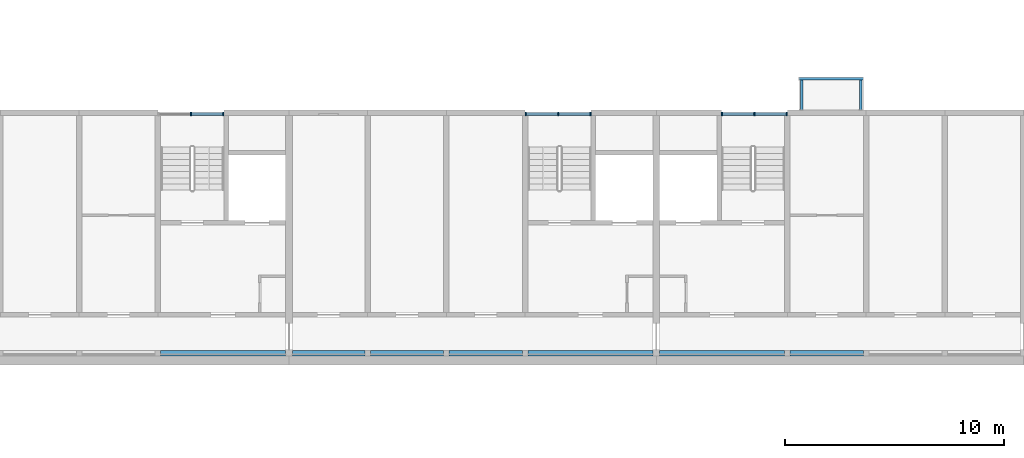
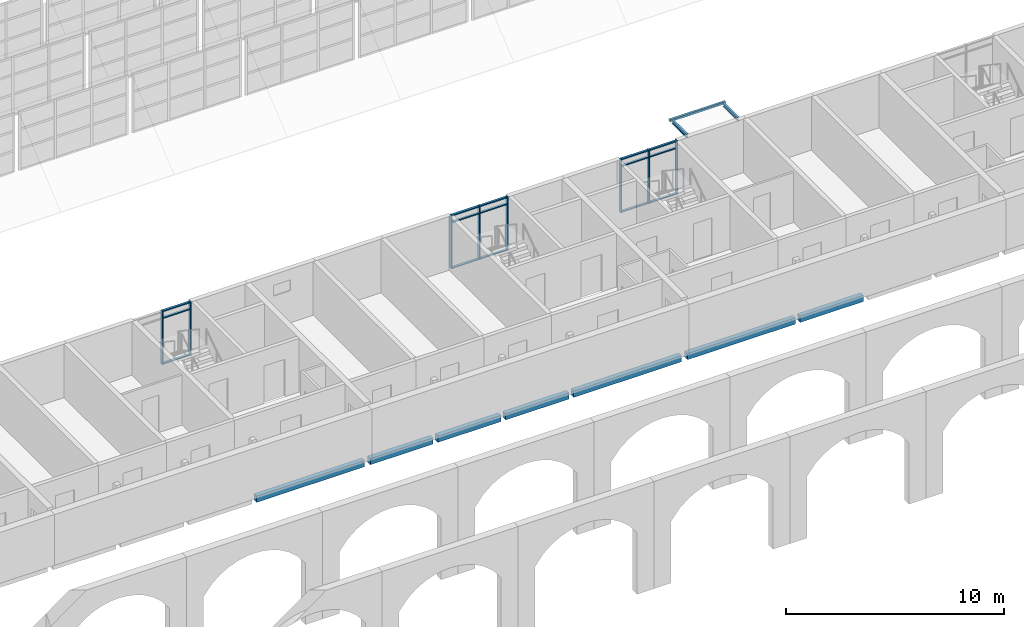
# One storey, part 27 of 122: 23 members, 10 beams, 3 elements without a shape of their own.
"""IFC4 building model written with IfcOpenShell, lengths in metres."""

from ifc_helpers import new_model, si_unit, direction, frame, origin, origin_2d, place, context, subcontext, project, spatial, rectangle, hollow_rectangle, i_section, extrude, material, material_profile, profile_set, type_object, element, aggregate, save


model = new_model("IFC4")

# Units and contexts
model_context = context("Model", 3, precision=1e-05, world=origin(), true_north=direction((0.0, 1.0)))
body_context = subcontext(model_context, "Body", "Model", "MODEL_VIEW")
ifc_project = project(units=[si_unit("LENGTHUNIT", "METRE"), si_unit("AREAUNIT", "SQUARE_METRE"), si_unit("VOLUMEUNIT", "CUBIC_METRE"), si_unit("PLANEANGLEUNIT", "RADIAN"), si_unit("MASSUNIT", "GRAM", prefix="KILO")], contexts=[model_context])

# Site, building, storey
site_placement = place(None, origin())
site = spatial("IfcSite", under=ifc_project, at=site_placement, CompositionType="ELEMENT")
building_placement = place(site_placement, origin())
building = spatial("IfcBuilding", under=site, at=building_placement, Name="Ridgestep Commons", CompositionType="ELEMENT")
storey_placement = place(building_placement, frame((0.0, 0.0, 3.0)))
storey = spatial("IfcBuildingStorey", under=building, at=storey_placement, Name="L01", CompositionType="ELEMENT", Elevation=3.0)

# Beams
ifc_material_1 = material(Name="Precast concrete C40/50", Category="concrete")
ifc_material_profile_1 = material_profile(ifc_material_1, rectangle(XDim=0.25, YDim=0.35009765625, at=origin_2d()), Name="PC 250x350")
ifc_profile_set_1 = profile_set([ifc_material_profile_1], Name="Precast concrete C40/50")
beam_type_1 = type_object("IfcBeamType", Name="Loggia edge beam 250 x 350", PredefinedType="SPANDREL", material=ifc_profile_set_1)
beam_1_placement = place(storey_placement, frame((191.324951171875, 11.875, -0.375), z_axis=(1.0, 0.0, 0.0), x_axis=(0.0, 1.0, 0.0)))
element("IfcBeam", 1, at=beam_1_placement, inside=storey, type_object=beam_type_1, Name="Loggia edge beam D3C L01", PredefinedType="SPANDREL", context=body_context, shape_type="SweptSolid", body=[
    extrude(rectangle(XDim=0.25, YDim=0.35009765625, at=origin_2d()), origin(), (0.0, 0.0, 1.0), 5.72509765625),
])
beam_2_placement = place(storey_placement, frame((197.35009765625, 11.875, -0.375), z_axis=(1.0, 0.0, 0.0), x_axis=(0.0, 1.0, 0.0)))
element("IfcBeam", 2, at=beam_2_placement, inside=storey, type_object=beam_type_1, Name="Loggia edge beam D4T1 L01", PredefinedType="SPANDREL", context=body_context, shape_type="SweptSolid", body=[
    extrude(rectangle(XDim=0.25, YDim=0.35009765625, at=origin_2d()), origin(), (0.0, 0.0, 1.0), 3.324951171875),
])
beam_3_placement = place(storey_placement, frame((200.925048828125, 11.875, -0.375), z_axis=(1.0, 0.0, 0.0), x_axis=(0.0, 1.0, 0.0)))
element("IfcBeam", 3, at=beam_3_placement, inside=storey, type_object=beam_type_1, Name="Loggia edge beam D4T2 L01", PredefinedType="SPANDREL", context=body_context, shape_type="SweptSolid", body=[
    extrude(rectangle(XDim=0.25, YDim=0.35009765625, at=origin_2d()), origin(), (0.0, 0.0, 1.0), 3.349853515625),
])
beam_4_placement = place(storey_placement, frame((204.52490234375, 11.875, -0.375), z_axis=(1.0, 0.0, 0.0), x_axis=(0.0, 1.0, 0.0)))
element("IfcBeam", 4, at=beam_4_placement, inside=storey, type_object=beam_type_1, Name="Loggia edge beam D4T3 L01", PredefinedType="SPANDREL", context=body_context, shape_type="SweptSolid", body=[
    extrude(rectangle(XDim=0.25, YDim=0.35009765625, at=origin_2d()), origin(), (0.0, 0.0, 1.0), 3.35009765625),
])
for number, where, z_axis, x_axis, name in (
    (5, (208.125, 11.875, -0.375), (1.0, 0.0, 0.0), (0.0, 1.0, 0.0), "Loggia edge beam D4C L01"),
    (6, (214.14990234375, 11.875, -0.375), (1.0, 0.0, 0.0), (0.0, 1.0, 0.0), "Loggia edge beam D5C L01"),
):
    element("IfcBeam", number, at=place(storey_placement, frame(where, z_axis=z_axis, x_axis=x_axis)), inside=storey, type_object=beam_type_1, Name=name, PredefinedType="SPANDREL", context=body_context, shape_type="SweptSolid", body=[
        extrude(rectangle(XDim=0.25, YDim=0.35009765625, at=origin_2d()), origin(), (0.0, 0.0, 1.0), 5.72509765625),
    ])
beam_5_placement = place(storey_placement, frame((220.125, 11.875, -0.375), z_axis=(1.0, 0.0, 0.0), x_axis=(0.0, 1.0, 0.0)))
element("IfcBeam", 7, at=beam_5_placement, inside=storey, type_object=beam_type_1, Name="Loggia edge beam D5T3 L01", PredefinedType="SPANDREL", context=body_context, shape_type="SweptSolid", body=[
    extrude(rectangle(XDim=0.25, YDim=0.35009765625, at=origin_2d()), origin(), (0.0, 0.0, 1.0), 3.35009765625),
])

# Curtain wall, members
ifc_material_2 = material(Name="Aluminium 6063-T6 and glass", Category="aluminium")
curtain_wall_type = type_object("IfcCurtainWallType", Name="Curtain wall stair strip", PredefinedType="NOTDEFINED", material=ifc_material_2)
curtain_wall_1_placement = place(storey_placement, origin())
curtain_wall_1 = element("IfcCurtainWall", 8, at=curtain_wall_1_placement, inside=storey, type_object=curtain_wall_type, Name="Curtain wall D3C level 01", PredefinedType="NOTDEFINED")
ifc_material_3 = material(Name="Aluminium 6063-T6", Category="aluminium")
ifc_material_profile_2 = material_profile(ifc_material_3, rectangle(XDim=0.159912109375, YDim=0.06005859375, at=origin_2d()), Name="Mullion 60 x 160")
ifc_profile_set_2 = profile_set([ifc_material_profile_2], Name="Aluminium 6063-T6")
member_type_1 = type_object("IfcMemberType", Name="Mullion 60 x 160", PredefinedType="MULLION", material=ifc_profile_set_2)
member_1_placement = place(storey_placement, frame((192.71240234375, 22.830078125, 0.0), z_axis=(0.0, 0.0, 1.0), x_axis=(0.0, 1.0, 0.0)))
member_1 = element("IfcMember", 9, at=member_1_placement, type_object=member_type_1, Name="CW1 mullion 2", PredefinedType="MULLION", context=body_context, shape_type="SweptSolid", body=[
    extrude(rectangle(XDim=0.159912109375, YDim=0.06005859375, at=origin_2d()), origin(), (0.0, 0.0, 1.0), 3.0),
])
member_2_placement = place(storey_placement, frame((194.195068359375, 22.830078125, 0.0), z_axis=(0.0, 0.0, 1.0), x_axis=(0.0, 1.0, 0.0)))
member_2 = element("IfcMember", 10, at=member_2_placement, type_object=member_type_1, Name="CW1 mullion 3", PredefinedType="MULLION", context=body_context, shape_type="SweptSolid", body=[
    extrude(rectangle(XDim=0.159912109375, YDim=0.06005859375, at=origin_2d()), origin(), (0.0, 0.0, 1.0), 3.0),
])

curtain_wall_2_placement = place(storey_placement, origin())
curtain_wall_2 = element("IfcCurtainWall", 11, at=curtain_wall_2_placement, inside=storey, type_object=curtain_wall_type, Name="Curtain wall D4C level 01", PredefinedType="NOTDEFINED")
member_3_placement = place(storey_placement, frame((208.030029296875, 22.830078125, 0.0), z_axis=(0.0, 0.0, 1.0), x_axis=(0.0, 1.0, 0.0)))
member_3 = element("IfcMember", 12, at=member_3_placement, type_object=member_type_1, Name="CW1 mullion 1", PredefinedType="MULLION", context=body_context, shape_type="SweptSolid", body=[
    extrude(rectangle(XDim=0.159912109375, YDim=0.06005859375, at=origin_2d()), origin(), (0.0, 0.0, 1.0), 3.0),
])
member_4_placement = place(storey_placement, frame((209.512451171875, 22.830078125, 0.0), z_axis=(0.0, 0.0, 1.0), x_axis=(0.0, 1.0, 0.0)))
member_4 = element("IfcMember", 13, at=member_4_placement, type_object=member_type_1, Name="CW1 mullion 2", PredefinedType="MULLION", context=body_context, shape_type="SweptSolid", body=[
    extrude(rectangle(XDim=0.159912109375, YDim=0.06005859375, at=origin_2d()), origin(), (0.0, 0.0, 1.0), 3.0),
])
member_5_placement = place(storey_placement, frame((210.9951171875, 22.830078125, 0.0), z_axis=(0.0, 0.0, 1.0), x_axis=(0.0, 1.0, 0.0)))
member_5 = element("IfcMember", 14, at=member_5_placement, type_object=member_type_1, Name="CW1 mullion 3", PredefinedType="MULLION", context=body_context, shape_type="SweptSolid", body=[
    extrude(rectangle(XDim=0.159912109375, YDim=0.06005859375, at=origin_2d()), origin(), (0.0, 0.0, 1.0), 3.0),
])

curtain_wall_3_placement = place(storey_placement, origin())
curtain_wall_3 = element("IfcCurtainWall", 15, at=curtain_wall_3_placement, inside=storey, type_object=curtain_wall_type, Name="Curtain wall D5C level 01", PredefinedType="NOTDEFINED")
member_6_placement = place(storey_placement, frame((217.0048828125, 22.830078125, 0.0), z_axis=(0.0, 0.0, 1.0), x_axis=(0.0, 1.0, 0.0)))
member_6 = element("IfcMember", 16, at=member_6_placement, type_object=member_type_1, Name="CW1 mullion 1", PredefinedType="MULLION", context=body_context, shape_type="SweptSolid", body=[
    extrude(rectangle(XDim=0.159912109375, YDim=0.06005859375, at=origin_2d()), origin(), (0.0, 0.0, 1.0), 3.0),
])
member_7_placement = place(storey_placement, frame((218.487548828125, 22.830078125, 0.0), z_axis=(0.0, 0.0, 1.0), x_axis=(0.0, 1.0, 0.0)))
member_7 = element("IfcMember", 17, at=member_7_placement, type_object=member_type_1, Name="CW1 mullion 2", PredefinedType="MULLION", context=body_context, shape_type="SweptSolid", body=[
    extrude(rectangle(XDim=0.159912109375, YDim=0.06005859375, at=origin_2d()), origin(), (0.0, 0.0, 1.0), 3.0),
])
member_8_placement = place(storey_placement, frame((219.969970703125, 22.830078125, 0.0), z_axis=(0.0, 0.0, 1.0), x_axis=(0.0, 1.0, 0.0)))
member_8 = element("IfcMember", 18, at=member_8_placement, type_object=member_type_1, Name="CW1 mullion 3", PredefinedType="MULLION", context=body_context, shape_type="SweptSolid", body=[
    extrude(rectangle(XDim=0.159912109375, YDim=0.06005859375, at=origin_2d()), origin(), (0.0, 0.0, 1.0), 3.0),
])

# Member
ifc_material_4 = material(Name="Aluminium 6063-T6", Category="aluminium")
ifc_material_profile_3 = material_profile(ifc_material_4, rectangle(XDim=0.1201171875, YDim=0.06005859375, at=origin_2d()), Name="Transom 60 x 120")
ifc_profile_set_3 = profile_set([ifc_material_profile_3], Name="Aluminium 6063-T6")
member_type_2 = type_object("IfcMemberType", Name="Transom 60 x 120", PredefinedType="USERDEFINED", material=ifc_profile_set_3)
member_9_placement = place(storey_placement, frame((192.742431640625, 22.830078125, 0.030029296875), z_axis=(1.0, 0.0, 0.0), x_axis=(0.0, 1.0, 0.0)))
member_9 = element("IfcMember", 19, at=member_9_placement, type_object=member_type_2, Name="CW1 transom 2.1", ObjectType="TRANSOM", PredefinedType="USERDEFINED", context=body_context, shape_type="SweptSolid", body=[
    extrude(rectangle(XDim=0.1201171875, YDim=0.06005859375, at=origin_2d()), origin(), (0.0, 0.0, 1.0), 1.422607421875),
])

member_10_placement = place(storey_placement, frame((192.742431640625, 22.830078125, 2.590087890625), z_axis=(1.0, 0.0, 0.0), x_axis=(0.0, 1.0, 0.0)))
member_10 = element("IfcMember", 20, at=member_10_placement, type_object=member_type_2, Name="CW1 transom 2.2", ObjectType="TRANSOM", PredefinedType="USERDEFINED", context=body_context, shape_type="SweptSolid", body=[
    extrude(rectangle(XDim=0.1201171875, YDim=0.06005859375, at=origin_2d()), origin(), (0.0, 0.0, 1.0), 1.422607421875),
])

member_11_placement = place(storey_placement, frame((192.742431640625, 22.830078125, 2.969970703125), z_axis=(1.0, 0.0, 0.0), x_axis=(0.0, 1.0, 0.0)))
member_11 = element("IfcMember", 21, at=member_11_placement, type_object=member_type_2, Name="CW1 transom 2.3", ObjectType="TRANSOM", PredefinedType="USERDEFINED", context=body_context, shape_type="SweptSolid", body=[
    extrude(rectangle(XDim=0.1201171875, YDim=0.06005859375, at=origin_2d()), origin(), (0.0, 0.0, 1.0), 1.422607421875),
])

aggregate(curtain_wall_1, [member_1, member_2, member_9, member_10, member_11])

member_12_placement = place(storey_placement, frame((208.06005859375, 22.830078125, 0.030029296875), z_axis=(1.0, 0.0, 0.0), x_axis=(0.0, 1.0, 0.0)))
member_12 = element("IfcMember", 22, at=member_12_placement, type_object=member_type_2, Name="CW1 transom 1.1", ObjectType="TRANSOM", PredefinedType="USERDEFINED", context=body_context, shape_type="SweptSolid", body=[
    extrude(rectangle(XDim=0.1201171875, YDim=0.06005859375, at=origin_2d()), origin(), (0.0, 0.0, 1.0), 1.42236328125),
])

member_13_placement = place(storey_placement, frame((208.06005859375, 22.830078125, 2.590087890625), z_axis=(1.0, 0.0, 0.0), x_axis=(0.0, 1.0, 0.0)))
member_13 = element("IfcMember", 23, at=member_13_placement, type_object=member_type_2, Name="CW1 transom 1.2", ObjectType="TRANSOM", PredefinedType="USERDEFINED", context=body_context, shape_type="SweptSolid", body=[
    extrude(rectangle(XDim=0.1201171875, YDim=0.06005859375, at=origin_2d()), origin(), (0.0, 0.0, 1.0), 1.42236328125),
])

member_14_placement = place(storey_placement, frame((208.06005859375, 22.830078125, 2.969970703125), z_axis=(1.0, 0.0, 0.0), x_axis=(0.0, 1.0, 0.0)))
member_14 = element("IfcMember", 24, at=member_14_placement, type_object=member_type_2, Name="CW1 transom 1.3", ObjectType="TRANSOM", PredefinedType="USERDEFINED", context=body_context, shape_type="SweptSolid", body=[
    extrude(rectangle(XDim=0.1201171875, YDim=0.06005859375, at=origin_2d()), origin(), (0.0, 0.0, 1.0), 1.42236328125),
])

member_15_placement = place(storey_placement, frame((209.54248046875, 22.830078125, 0.030029296875), z_axis=(1.0, 0.0, 0.0), x_axis=(0.0, 1.0, 0.0)))
member_15 = element("IfcMember", 25, at=member_15_placement, type_object=member_type_2, Name="CW1 transom 2.1", ObjectType="TRANSOM", PredefinedType="USERDEFINED", context=body_context, shape_type="SweptSolid", body=[
    extrude(rectangle(XDim=0.1201171875, YDim=0.06005859375, at=origin_2d()), origin(), (0.0, 0.0, 1.0), 1.422607421875),
])

member_16_placement = place(storey_placement, frame((209.54248046875, 22.830078125, 2.590087890625), z_axis=(1.0, 0.0, 0.0), x_axis=(0.0, 1.0, 0.0)))
member_16 = element("IfcMember", 26, at=member_16_placement, type_object=member_type_2, Name="CW1 transom 2.2", ObjectType="TRANSOM", PredefinedType="USERDEFINED", context=body_context, shape_type="SweptSolid", body=[
    extrude(rectangle(XDim=0.1201171875, YDim=0.06005859375, at=origin_2d()), origin(), (0.0, 0.0, 1.0), 1.422607421875),
])

member_17_placement = place(storey_placement, frame((209.54248046875, 22.830078125, 2.969970703125), z_axis=(1.0, 0.0, 0.0), x_axis=(0.0, 1.0, 0.0)))
member_17 = element("IfcMember", 27, at=member_17_placement, type_object=member_type_2, Name="CW1 transom 2.3", ObjectType="TRANSOM", PredefinedType="USERDEFINED", context=body_context, shape_type="SweptSolid", body=[
    extrude(rectangle(XDim=0.1201171875, YDim=0.06005859375, at=origin_2d()), origin(), (0.0, 0.0, 1.0), 1.422607421875),
])

aggregate(curtain_wall_2, [member_3, member_4, member_5, member_12, member_13, member_14, member_15, member_16, member_17])

member_18_placement = place(storey_placement, frame((217.034912109375, 22.830078125, 0.030029296875), z_axis=(1.0, 0.0, 0.0), x_axis=(0.0, 1.0, 0.0)))
member_18 = element("IfcMember", 28, at=member_18_placement, type_object=member_type_2, Name="CW1 transom 1.1", ObjectType="TRANSOM", PredefinedType="USERDEFINED", context=body_context, shape_type="SweptSolid", body=[
    extrude(rectangle(XDim=0.1201171875, YDim=0.06005859375, at=origin_2d()), origin(), (0.0, 0.0, 1.0), 1.422607421875),
])

member_19_placement = place(storey_placement, frame((217.034912109375, 22.830078125, 2.590087890625), z_axis=(1.0, 0.0, 0.0), x_axis=(0.0, 1.0, 0.0)))
member_19 = element("IfcMember", 29, at=member_19_placement, type_object=member_type_2, Name="CW1 transom 1.2", ObjectType="TRANSOM", PredefinedType="USERDEFINED", context=body_context, shape_type="SweptSolid", body=[
    extrude(rectangle(XDim=0.1201171875, YDim=0.06005859375, at=origin_2d()), origin(), (0.0, 0.0, 1.0), 1.422607421875),
])

member_20_placement = place(storey_placement, frame((217.034912109375, 22.830078125, 2.969970703125), z_axis=(1.0, 0.0, 0.0), x_axis=(0.0, 1.0, 0.0)))
member_20 = element("IfcMember", 30, at=member_20_placement, type_object=member_type_2, Name="CW1 transom 1.3", ObjectType="TRANSOM", PredefinedType="USERDEFINED", context=body_context, shape_type="SweptSolid", body=[
    extrude(rectangle(XDim=0.1201171875, YDim=0.06005859375, at=origin_2d()), origin(), (0.0, 0.0, 1.0), 1.422607421875),
])

member_21_placement = place(storey_placement, frame((218.517578125, 22.830078125, 0.030029296875), z_axis=(1.0, 0.0, 0.0), x_axis=(0.0, 1.0, 0.0)))
member_21 = element("IfcMember", 31, at=member_21_placement, type_object=member_type_2, Name="CW1 transom 2.1", ObjectType="TRANSOM", PredefinedType="USERDEFINED", context=body_context, shape_type="SweptSolid", body=[
    extrude(rectangle(XDim=0.1201171875, YDim=0.06005859375, at=origin_2d()), origin(), (0.0, 0.0, 1.0), 1.42236328125),
])

member_22_placement = place(storey_placement, frame((218.517578125, 22.830078125, 2.590087890625), z_axis=(1.0, 0.0, 0.0), x_axis=(0.0, 1.0, 0.0)))
member_22 = element("IfcMember", 32, at=member_22_placement, type_object=member_type_2, Name="CW1 transom 2.2", ObjectType="TRANSOM", PredefinedType="USERDEFINED", context=body_context, shape_type="SweptSolid", body=[
    extrude(rectangle(XDim=0.1201171875, YDim=0.06005859375, at=origin_2d()), origin(), (0.0, 0.0, 1.0), 1.42236328125),
])

member_23_placement = place(storey_placement, frame((218.517578125, 22.830078125, 2.969970703125), z_axis=(1.0, 0.0, 0.0), x_axis=(0.0, 1.0, 0.0)))
member_23 = element("IfcMember", 33, at=member_23_placement, type_object=member_type_2, Name="CW1 transom 2.3", ObjectType="TRANSOM", PredefinedType="USERDEFINED", context=body_context, shape_type="SweptSolid", body=[
    extrude(rectangle(XDim=0.1201171875, YDim=0.06005859375, at=origin_2d()), origin(), (0.0, 0.0, 1.0), 1.42236328125),
])

aggregate(curtain_wall_3, [member_6, member_7, member_8, member_18, member_19, member_20, member_21, member_22, member_23])

# Beams
ifc_material_5 = material(Name="Weathering steel S355J2W", Category="steel")
ifc_material_profile_4 = material_profile(ifc_material_5, i_section(OverallWidth=0.101806640625, OverallDepth=0.203125, WebThickness=0.00537109375, FlangeThickness=0.00927734375, FilletRadius=0.007568359375, at=origin_2d()), Name="UB 203x102x23")
ifc_profile_set_4 = profile_set([ifc_material_profile_4], Name="Weathering steel S355J2W")
beam_type_2 = type_object("IfcBeamType", Name="Tray arm UB 203x102x23", PredefinedType="BEAM", material=ifc_profile_set_4)
for number, where, z_axis, x_axis, name in (
    (34, (220.64990234375, 23.014892578125, 2.888427734375), (0.0, 1.0, 0.0), (-1.0, 0.0, 0.0), "Tray arm D5T3-02.1"),
    (35, (223.35009765625, 23.014892578125, 2.888427734375), (0.0, 1.0, 0.0), (-1.0, 0.0, 0.0), "Tray arm D5T3-02.2"),
):
    element("IfcBeam", number, at=place(storey_placement, frame(where, z_axis=z_axis, x_axis=x_axis)), inside=storey, type_object=beam_type_2, Name=name, PredefinedType="BEAM", context=body_context, shape_type="SweptSolid", body=[
        extrude(i_section(OverallWidth=0.101806640625, OverallDepth=0.203125, WebThickness=0.00537109375, FlangeThickness=0.00927734375, FilletRadius=0.007568359375, at=origin_2d()), origin(), (0.0, 0.0, 1.0), 1.364990234375),
    ])
ifc_material_6 = material(Name="Weathering steel S355J2W", Category="steel")
ifc_material_profile_5 = material_profile(ifc_material_6, hollow_rectangle(XDim=0.1201171875, YDim=0.1201171875, WallThickness=0.00634765625, InnerFilletRadius=0.00634765625, OuterFilletRadius=0.009521484375, at=origin_2d()), Name="SHS 120x120x6.3")
ifc_profile_set_5 = profile_set([ifc_material_profile_5], Name="Weathering steel S355J2W")
beam_type_3 = type_object("IfcBeamType", Name="Tray edge member SHS 120x120x6.3", PredefinedType="BEAM", material=ifc_profile_set_5)
beam_6_placement = place(storey_placement, frame((220.530029296875, 24.43994140625, 2.929931640625), z_axis=(1.0, 0.0, 0.0), x_axis=(0.0, 0.0, 1.0)))
element("IfcBeam", 36, at=beam_6_placement, inside=storey, type_object=beam_type_3, Name="Tray edge member D5T3-02", PredefinedType="BEAM", context=body_context, shape_type="SweptSolid", body=[
    extrude(hollow_rectangle(XDim=0.1201171875, YDim=0.1201171875, WallThickness=0.00634765625, InnerFilletRadius=0.00634765625, OuterFilletRadius=0.009521484375, at=origin_2d()), origin(), (0.0, 0.0, 1.0), 2.93994140625),
])

save(model, "model.ifc")
